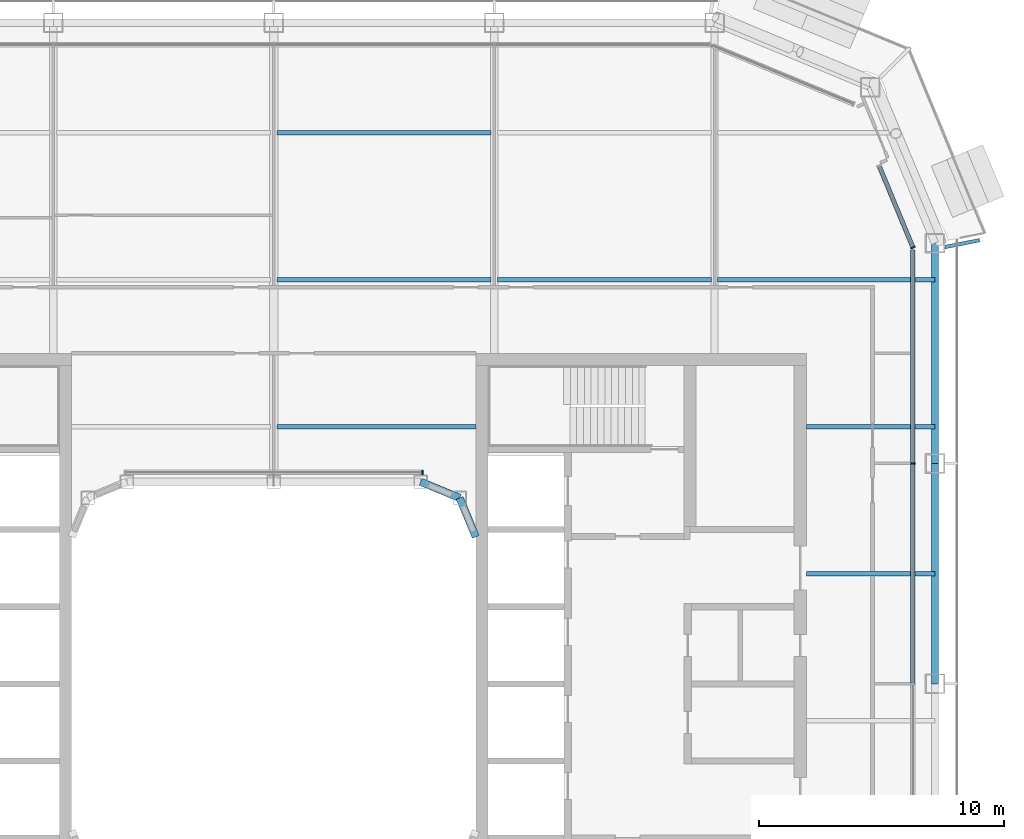
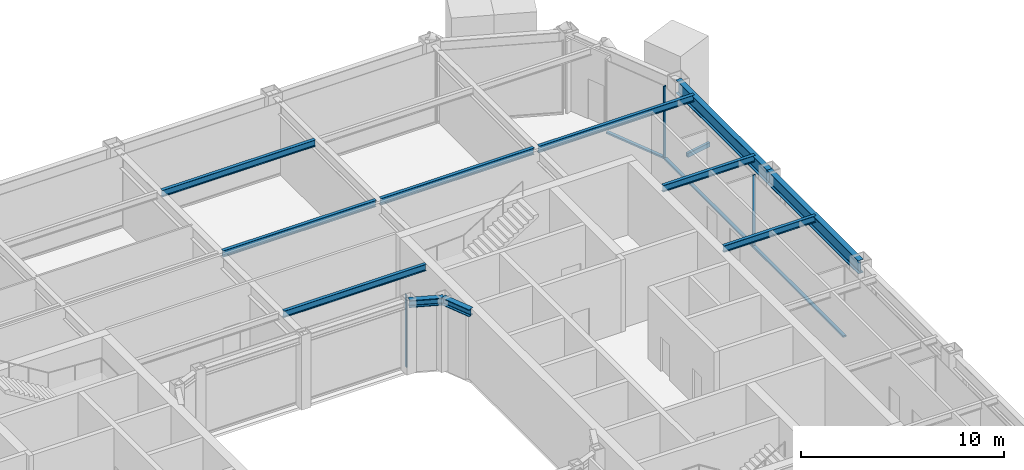
# One storey, part 9 of 23: 12 beams, 6 members, 3 elements without a shape of their own.
"""IFC4 building model written with IfcOpenShell, lengths in metres."""

from ifc_helpers import new_model, si_unit, direction, frame, origin, origin_2d, place, context, subcontext, project, spatial, rectangle, hollow_rectangle, i_section, extrude, material, layer, layer_set, material_profile, profile_set, type_object, element, aggregate, save


model = new_model("IFC4")

# Units and contexts
model_context = context("Model", 3, precision=1e-05, world=origin(), true_north=direction((0.0, 1.0)))
body_context = subcontext(model_context, "Body", "Model", "MODEL_VIEW")
ifc_project = project(units=[si_unit("LENGTHUNIT", "METRE"), si_unit("AREAUNIT", "SQUARE_METRE"), si_unit("VOLUMEUNIT", "CUBIC_METRE"), si_unit("PLANEANGLEUNIT", "RADIAN"), si_unit("MASSUNIT", "GRAM", prefix="KILO")], contexts=[model_context])

# Site, building, storey
site_placement = place(None, origin())
site = spatial("IfcSite", under=ifc_project, at=site_placement, CompositionType="ELEMENT")
building_placement = place(site_placement, origin())
building = spatial("IfcBuilding", under=site, at=building_placement, Name="Siwar Civic Tower", CompositionType="ELEMENT")
storey_placement = place(building_placement, frame((0.0, 0.0, 260.199951171875)))
storey = spatial("IfcBuildingStorey", under=building, at=storey_placement, Name="L56", CompositionType="ELEMENT", Elevation=260.199951171875)

# Beam
ifc_material_1 = material(Name="Steel S355", Category="steel")
ifc_material_profile_1 = material_profile(ifc_material_1, hollow_rectangle(XDim=0.14990234375, YDim=0.25, WallThickness=0.010009765625, at=origin_2d()), Name="RHS250x150x10")
ifc_profile_set_1 = profile_set([ifc_material_profile_1], Name="Steel S355")
beam_type_1 = type_object("IfcBeamType", Name="ENV-BALCONY ARM", PredefinedType="BEAM", material=ifc_profile_set_1)
beam_1_placement = place(storey_placement, frame((27.39990234375, 17.8349609375, -0.27490234375), z_axis=(0.980794792252, 0.195042496631, 0.0), x_axis=(-0.195042496631, 0.980794792252, 0.0)))
element("IfcBeam", 1, at=beam_1_placement, inside=storey, type_object=beam_type_1, Name="Balcony cantilever beam NE 1", PredefinedType="BEAM", context=body_context, shape_type="SweptSolid", body=[
    extrude(hollow_rectangle(XDim=0.14990234375, YDim=0.25, WallThickness=0.010009765625, at=origin_2d()), origin(), (0.0, 0.0, 1.0), 1.443359375),
])

# Curtain wall, member
ifc_material_2 = material(Name="Aluminium and glass", Category="aluminium")
ifc_layer_1 = layer(ifc_material_2, 0.179931640625)
ifc_layer_set_1 = layer_set([ifc_layer_1], Name="Aluminium and glass")
curtain_wall_type_1 = type_object("IfcCurtainWallType", Name="ENV-CW-C", PredefinedType="NOTDEFINED", material=ifc_layer_set_1)
curtain_wall_1_placement = place(storey_placement, origin())
curtain_wall_1 = element("IfcCurtainWall", 2, at=curtain_wall_1_placement, inside=storey, type_object=curtain_wall_type_1, Name="Curtain wall C E", PredefinedType="NOTDEFINED")
ifc_material_3 = material(Name="Aluminium 6063-T6", Category="aluminium")
ifc_material_profile_2 = material_profile(ifc_material_3, rectangle(XDim=0.179931640625, YDim=0.06005859375, at=origin_2d()), Name="AL 180x60")
ifc_profile_set_2 = profile_set([ifc_material_profile_2], Name="Aluminium 6063-T6")
member_type_1 = type_object("IfcMemberType", Name="ENV-MULLION-C", PredefinedType="MULLION", material=ifc_profile_set_2)
member_1_placement = place(storey_placement, frame((26.10009765625, 9.0, 0.0), z_axis=(0.0, 0.0, 1.0), x_axis=(-1.0, 0.0, 0.0)))
member_1 = element("IfcMember", 3, at=member_1_placement, type_object=member_type_1, Name="Mullion C E 4", PredefinedType="MULLION", context=body_context, shape_type="SweptSolid", body=[
    extrude(rectangle(XDim=0.179931640625, YDim=0.06005859375, at=origin_2d()), origin(), (0.0, 0.0, 1.0), 4.35009765625),
])

ifc_material_4 = material(Name="Aluminium clad insulated panel", Category="aluminium")
ifc_layer_2 = layer(ifc_material_4, 0.179931640625)
ifc_layer_set_2 = layer_set([ifc_layer_2], Name="Aluminium clad insulated panel")
curtain_wall_type_2 = type_object("IfcCurtainWallType", Name="ENV-CW-CX", PredefinedType="NOTDEFINED", material=ifc_layer_set_2)
curtain_wall_2_placement = place(storey_placement, origin())
curtain_wall_2 = element("IfcCurtainWall", 4, at=curtain_wall_2_placement, inside=storey, type_object=curtain_wall_type_2, Name="Curtain wall C NE1", PredefinedType="NOTDEFINED")
member_2_placement = place(storey_placement, frame((26.10009765625, 17.821044921875, 0.0), z_axis=(0.0, 0.0, 1.0), x_axis=(-0.923879532511, -0.382683432365, 0.0)))
member_2 = element("IfcMember", 5, at=member_2_placement, type_object=member_type_1, Name="Mullion C NE1 1", PredefinedType="MULLION", context=body_context, shape_type="SweptSolid", body=[
    extrude(rectangle(XDim=0.179931640625, YDim=0.06005859375, at=origin_2d()), origin(), (0.0, 0.0, 1.0), 4.35009765625),
])

ifc_material_5 = material(Name="Aluminium and glass", Category="aluminium")
ifc_layer_3 = layer(ifc_material_5, 0.179931640625)
ifc_layer_set_3 = layer_set([ifc_layer_3], Name="Aluminium and glass")
curtain_wall_type_3 = type_object("IfcCurtainWallType", Name="ENV-CW-W", PredefinedType="NOTDEFINED", material=ifc_layer_set_3)
curtain_wall_3_placement = place(storey_placement, origin())
curtain_wall_3 = element("IfcCurtainWall", 6, at=curtain_wall_3_placement, inside=storey, type_object=curtain_wall_type_3, Name="Curtain wall W WN", PredefinedType="NOTDEFINED")
ifc_material_6 = material(Name="Aluminium 6063-T6", Category="aluminium")
ifc_material_profile_3 = material_profile(ifc_material_6, rectangle(XDim=0.179931640625, YDim=0.06005859375, at=origin_2d()), Name="AL 180x60")
ifc_profile_set_3 = profile_set([ifc_material_profile_3], Name="Aluminium 6063-T6")
member_type_2 = type_object("IfcMemberType", Name="ENV-MULLION-W", PredefinedType="MULLION", material=ifc_profile_set_3)
member_3_placement = place(storey_placement, frame((6.07666015625, 8.635009765625, 0.0), z_axis=(0.0, 0.0, 1.0), x_axis=(0.0, -1.0, 0.0)))
member_3 = element("IfcMember", 7, at=member_3_placement, type_object=member_type_2, Name="Mullion W WN 1", PredefinedType="MULLION", context=body_context, shape_type="SweptSolid", body=[
    extrude(rectangle(XDim=0.179931640625, YDim=0.06005859375, at=origin_2d()), origin(), (0.0, 0.0, 1.0), 4.35009765625),
])
aggregate(curtain_wall_3, [member_3])

# Member
ifc_material_7 = material(Name="Aluminium 6063-T6", Category="aluminium")
ifc_material_profile_4 = material_profile(ifc_material_7, rectangle(XDim=0.179931640625, YDim=0.10009765625, at=origin_2d()), Name="AL 180x100")
ifc_profile_set_4 = profile_set([ifc_material_profile_4], Name="Aluminium 6063-T6")
member_type_3 = type_object("IfcMemberType", Name="ENV-TRANSOM-C", PredefinedType="USERDEFINED", material=ifc_profile_set_4)
member_4_placement = place(storey_placement, frame((26.10009765625, 0.030029296875, 0.050048828125), z_axis=(0.0, 1.0, 0.0), x_axis=(-1.0, 0.0, 0.0)))
member_4 = element("IfcMember", 8, at=member_4_placement, type_object=member_type_3, Name="Transom C E 3", ObjectType="TRANSOM", PredefinedType="USERDEFINED", context=body_context, shape_type="SweptSolid", body=[
    extrude(rectangle(XDim=0.179931640625, YDim=0.10009765625, at=origin_2d()), origin(), (0.0, 0.0, 1.0), 8.93994140625),
])

member_5_placement = place(storey_placement, frame((26.10009765625, 9.030029296875, 0.050048828125), z_axis=(0.0, 1.0, 0.0), x_axis=(-1.0, 0.0, 0.0)))
member_5 = element("IfcMember", 9, at=member_5_placement, type_object=member_type_3, Name="Transom C E 4", ObjectType="TRANSOM", PredefinedType="USERDEFINED", context=body_context, shape_type="SweptSolid", body=[
    extrude(rectangle(XDim=0.179931640625, YDim=0.10009765625, at=origin_2d()), origin(), (0.0, 0.0, 1.0), 8.68603515625),
])

aggregate(curtain_wall_1, [member_1, member_4, member_5])

member_6_placement = place(storey_placement, frame((26.088623046875, 17.8486328125, 0.050048828125), z_axis=(-0.3827185099, 0.92386500214, 0.0), x_axis=(-0.92386500214, -0.3827185099, 0.0)))
member_6 = element("IfcMember", 10, at=member_6_placement, type_object=member_type_3, Name="Transom C NE1 1", ObjectType="TRANSOM", PredefinedType="USERDEFINED", context=body_context, shape_type="SweptSolid", body=[
    extrude(rectangle(XDim=0.179931640625, YDim=0.10009765625, at=origin_2d()), origin(), (0.0, 0.0, 1.0), 3.54736328125),
])

aggregate(curtain_wall_2, [member_2, member_6])

# Beams
ifc_material_8 = material(Name="Steel S355", Category="steel")
ifc_material_profile_5 = material_profile(ifc_material_8, i_section(OverallWidth=0.179931640625, OverallDepth=0.39990234375, WebThickness=0.008544921875, FlangeThickness=0.013427734375, FilletRadius=0.02099609375, at=origin_2d()), Name="IPE400")
ifc_profile_set_5 = profile_set([ifc_material_profile_5], Name="Steel S355")
beam_type_2 = type_object("IfcBeamType", Name="STR-FB-IPE400", PredefinedType="JOIST", material=ifc_profile_set_5)
beam_2_placement = place(storey_placement, frame((21.75, 4.5, 4.150146484375), z_axis=(1.0, 0.0, 0.0), x_axis=(0.0, 1.0, 0.0)))
element("IfcBeam", 11, at=beam_2_placement, inside=storey, type_object=beam_type_2, Name="L56/bm/F026", PredefinedType="JOIST", context=body_context, shape_type="SweptSolid", body=[
    extrude(i_section(OverallWidth=0.179931640625, OverallDepth=0.39990234375, WebThickness=0.008544921875, FlangeThickness=0.013427734375, FilletRadius=0.02099609375, at=origin_2d()), origin(), (0.0, 0.0, 1.0), 5.25),
])
beam_3_placement = place(storey_placement, frame((0.1298828125, 10.5, 4.150146484375), z_axis=(1.0, 0.0, 0.0), x_axis=(0.0, 1.0, 0.0)))
element("IfcBeam", 12, at=beam_3_placement, inside=storey, type_object=beam_type_2, Name="L56/bm/F029", PredefinedType="JOIST", context=body_context, shape_type="SweptSolid", body=[
    extrude(i_section(OverallWidth=0.179931640625, OverallDepth=0.39990234375, WebThickness=0.008544921875, FlangeThickness=0.013427734375, FilletRadius=0.02099609375, at=origin_2d()), origin(), (0.0, 0.0, 1.0), 8.1201171875),
])
beam_4_placement = place(storey_placement, frame((21.75, 10.5, 4.150146484375), z_axis=(1.0, 0.0, 0.0), x_axis=(0.0, 1.0, 0.0)))
element("IfcBeam", 13, at=beam_4_placement, inside=storey, type_object=beam_type_2, Name="L56/bm/F030", PredefinedType="JOIST", context=body_context, shape_type="SweptSolid", body=[
    extrude(i_section(OverallWidth=0.179931640625, OverallDepth=0.39990234375, WebThickness=0.008544921875, FlangeThickness=0.013427734375, FilletRadius=0.02099609375, at=origin_2d()), origin(), (0.0, 0.0, 1.0), 5.25),
])
for number, where, z_axis, x_axis, name in (
    (14, (0.1298828125, 16.5, 4.150146484375), (1.0, 0.0, 0.0), (0.0, 1.0, 0.0), "L56/bm/F034"),
    (15, (9.1298828125, 16.5, 4.150146484375), (1.0, 0.0, 0.0), (0.0, 1.0, 0.0), "L56/bm/F035"),
):
    element("IfcBeam", number, at=place(storey_placement, frame(where, z_axis=z_axis, x_axis=x_axis)), inside=storey, type_object=beam_type_2, Name=name, PredefinedType="JOIST", context=body_context, shape_type="SweptSolid", body=[
        extrude(i_section(OverallWidth=0.179931640625, OverallDepth=0.39990234375, WebThickness=0.008544921875, FlangeThickness=0.013427734375, FilletRadius=0.02099609375, at=origin_2d()), origin(), (0.0, 0.0, 1.0), 8.740234375),
    ])
beam_5_placement = place(storey_placement, frame((18.1298828125, 16.5, 4.150146484375), z_axis=(1.0, 0.0, 0.0), x_axis=(0.0, 1.0, 0.0)))
element("IfcBeam", 16, at=beam_5_placement, inside=storey, type_object=beam_type_2, Name="L56/bm/F036", PredefinedType="JOIST", context=body_context, shape_type="SweptSolid", body=[
    extrude(i_section(OverallWidth=0.179931640625, OverallDepth=0.39990234375, WebThickness=0.008544921875, FlangeThickness=0.013427734375, FilletRadius=0.02099609375, at=origin_2d()), origin(), (0.0, 0.0, 1.0), 8.8701171875),
])
beam_6_placement = place(storey_placement, frame((0.1298828125, 22.5, 4.150146484375), z_axis=(1.0, 0.0, 0.0), x_axis=(0.0, 1.0, 0.0)))
element("IfcBeam", 17, at=beam_6_placement, inside=storey, type_object=beam_type_2, Name="L56/bm/F040", PredefinedType="JOIST", context=body_context, shape_type="SweptSolid", body=[
    extrude(i_section(OverallWidth=0.179931640625, OverallDepth=0.39990234375, WebThickness=0.008544921875, FlangeThickness=0.013427734375, FilletRadius=0.02099609375, at=origin_2d()), origin(), (0.0, 0.0, 1.0), 8.740234375),
])
ifc_material_9 = material(Name="Steel S355", Category="steel")
ifc_material_profile_6 = material_profile(ifc_material_9, i_section(OverallWidth=0.306884765625, OverallDepth=0.431884765625, WebThickness=0.02099609375, FlangeThickness=0.0400390625, FilletRadius=0.027099609375, at=origin_2d()), Name="HEM400")
ifc_profile_set_6 = profile_set([ifc_material_profile_6], Name="Steel S355")
beam_type_3 = type_object("IfcBeamType", Name="STR-RB-HEM400", PredefinedType="BEAM", material=ifc_profile_set_6)
for number, where, z_axis, x_axis, name in (
    (18, (6.0, 8.25, 4.134033203125), (0.923901072997, -0.382631424892, 0.0), (0.382631424892, 0.923901072997, 0.0), "L56/bm/RN3"),
    (19, (7.591064453125, 7.591064453125, 4.134033203125), (0.382631424892, -0.923901072997, 0.0), (0.923901072997, 0.382631424892, 0.0), "L56/bm/RNEE"),
):
    element("IfcBeam", number, at=place(storey_placement, frame(where, z_axis=z_axis, x_axis=x_axis)), inside=storey, type_object=beam_type_3, Name=name, PredefinedType="BEAM", context=body_context, shape_type="SweptSolid", body=[
        extrude(i_section(OverallWidth=0.306884765625, OverallDepth=0.431884765625, WebThickness=0.02099609375, FlangeThickness=0.0400390625, FilletRadius=0.027099609375, at=origin_2d()), origin(), (0.0, 0.0, 1.0), 1.72216796875),
    ])
ifc_material_10 = material(Name="Steel S355", Category="steel")
ifc_material_profile_7 = material_profile(ifc_material_10, i_section(OverallWidth=0.300048828125, OverallDepth=0.800048828125, WebThickness=0.017578125, FlangeThickness=0.032958984375, FilletRadius=0.030029296875, at=origin_2d()), Name="HEB800")
ifc_profile_set_7 = profile_set([ifc_material_profile_7], Name="Steel S355")
beam_type_4 = type_object("IfcBeamType", Name="STR-SB-HEB800", PredefinedType="BEAM", material=ifc_profile_set_7)
for number, where, z_axis, x_axis, name in (
    (20, (27.0, 0.0, 3.949951171875), (0.0, 1.0, 0.0), (-1.0, 0.0, 0.0), "L56/bm/SE-2"),
    (21, (27.0, 9.0, 3.949951171875), (0.0, 1.0, 0.0), (-1.0, 0.0, 0.0), "L56/bm/SE-3"),
):
    element("IfcBeam", number, at=place(storey_placement, frame(where, z_axis=z_axis, x_axis=x_axis)), inside=storey, type_object=beam_type_4, Name=name, PredefinedType="BEAM", context=body_context, shape_type="SweptSolid", body=[
        extrude(i_section(OverallWidth=0.300048828125, OverallDepth=0.800048828125, WebThickness=0.017578125, FlangeThickness=0.032958984375, FilletRadius=0.030029296875, at=origin_2d()), origin(), (0.0, 0.0, 1.0), 9.0),
    ])

save(model, "model.ifc")
